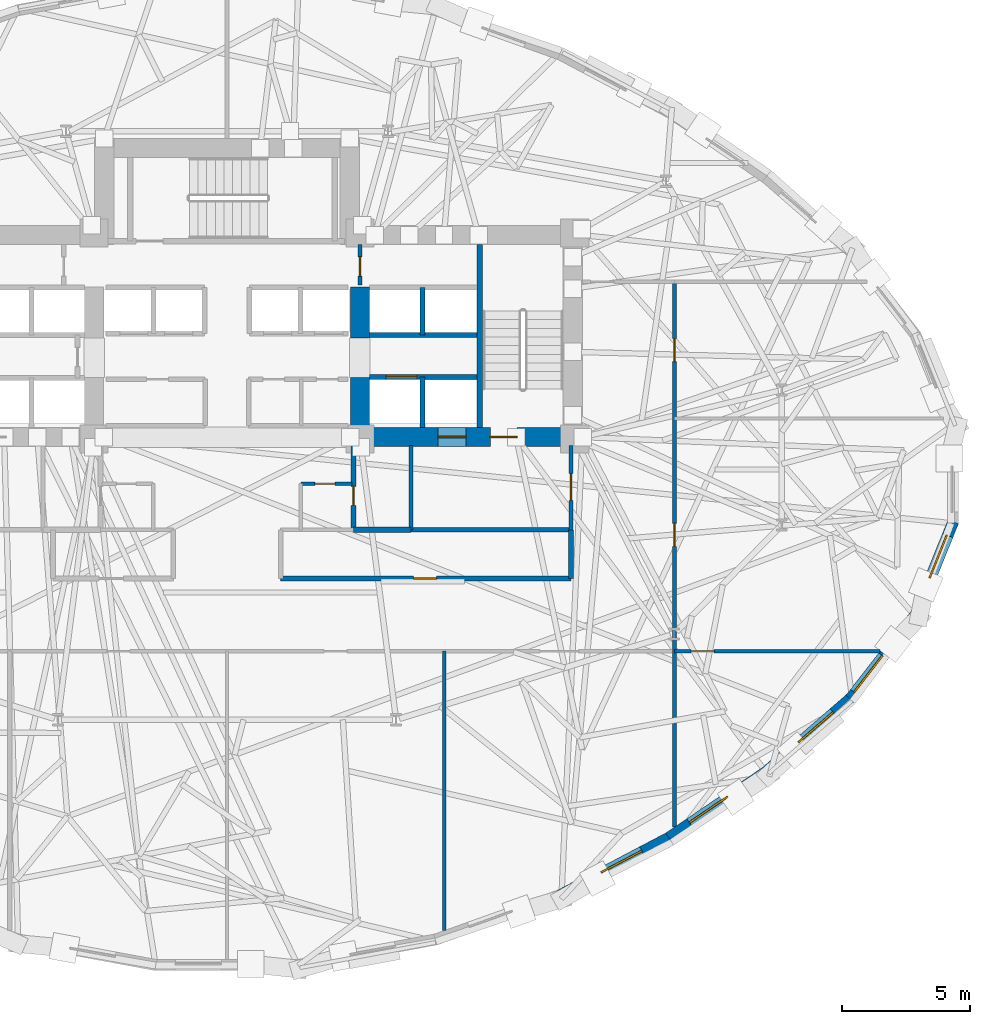
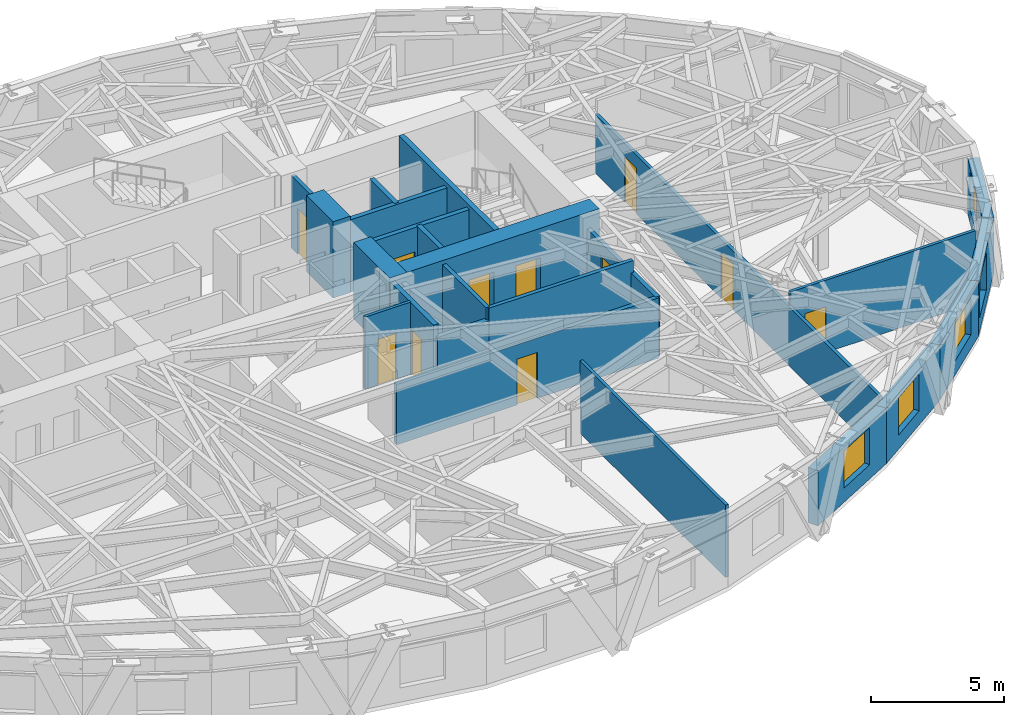
# One storey, part 9 of 15: 25 walls, 11 doors, 5 windows, 16 openings.
"""IFC4 building model written with IfcOpenShell, lengths in metres."""

from ifc_helpers import new_model, si_unit, direction, frame, frame_2d, origin, place, context, subcontext, project, spatial, rectangle, extrude, material, layer, layer_set, type_object, element, fill, save


model = new_model("IFC4")

# Units and contexts
model_context = context("Model", 3, precision=1e-05, world=origin(), true_north=direction((0.0, 1.0)))
body_context = subcontext(model_context, "Body", "Model", "MODEL_VIEW")
ifc_project = project(units=[si_unit("LENGTHUNIT", "METRE"), si_unit("AREAUNIT", "SQUARE_METRE"), si_unit("VOLUMEUNIT", "CUBIC_METRE"), si_unit("PLANEANGLEUNIT", "RADIAN"), si_unit("MASSUNIT", "GRAM", prefix="KILO")], contexts=[model_context])

# Site, building, storey
site_placement = place(None, origin())
site = spatial("IfcSite", under=ifc_project, at=site_placement, CompositionType="ELEMENT")
building_placement = place(site_placement, origin())
building = spatial("IfcBuilding", under=site, at=building_placement, Name="Keldmark Tower", CompositionType="ELEMENT")
storey_placement = place(building_placement, frame((0.0, 0.0, 93.10009765625)))
storey = spatial("IfcBuildingStorey", under=building, at=storey_placement, Name="L24", CompositionType="ELEMENT", Elevation=93.10009765625)

# Wall, openings, doors
ifc_material_1 = material(Name="Acoustic Double-Layer Gypsum Corridor Partition", Category="gypsum")
ifc_layer_1 = layer(ifc_material_1, 0.139892578125)
ifc_layer_set_1 = layer_set([ifc_layer_1], Name="Acoustic Double-Layer Gypsum Corridor Partition")
wall_type_1 = type_object("IfcWallType", Name="Acoustic Corridor Partition 140 mm", PredefinedType="PARTITIONING", material=ifc_layer_set_1)
wall_1_placement = place(storey_placement, frame((17.5, -13.76953125, 0.0), z_axis=(0.0, 0.0, 1.0), x_axis=(0.0, 1.0, 0.0)))
wall_1 = element("IfcWall", 1, at=wall_1_placement, inside=storey, type_object=wall_type_1, Name="L24 Acoustic Corridor Partition 140 mm COR-E", PredefinedType="PARTITIONING", context=body_context, shape_type="SweptSolid", body=[
    extrude(rectangle(XDim=21.319580078125, YDim=0.139892578125, at=frame_2d((10.65966796875, 0.0))), origin(), (0.0, 0.0, 1.0), 2.68798828125),
])
opening_1_placement = place(wall_1_placement, frame((10.969482421875, 0.0, 0.0)))
opening_1 = element("IfcOpeningElement", 2, at=opening_1_placement, cuts=wall_1, Name="Opening D-IN090", PredefinedType="OPENING", context=body_context, shape_type="SweptSolid", body=[
    extrude(rectangle(XDim=0.89990234375, YDim=2.10009765625, at=frame_2d((0.449951171875, 1.050048828125))), frame((0.0, 0.079833984375, 0.0), z_axis=(0.0, -1.0, 0.0), x_axis=(1.0, 0.0, 0.0)), (0.0, 0.0, 1.0), 0.159912109375),
])
opening_2_placement = place(wall_1_placement, frame((18.194580078125, 0.0, 0.0)))
opening_2 = element("IfcOpeningElement", 3, at=opening_2_placement, cuts=wall_1, Name="Opening D-IN090", PredefinedType="OPENING", context=body_context, shape_type="SweptSolid", body=[
    extrude(rectangle(XDim=0.89990234375, YDim=2.10009765625, at=frame_2d((0.449951171875, 1.050048828125))), frame((0.0, 0.079833984375, 0.0), z_axis=(0.0, -1.0, 0.0), x_axis=(1.0, 0.0, 0.0)), (0.0, 0.0, 1.0), 0.159912109375),
])
ifc_material_2 = material(Name="Stained American White Oak Veneer", Category="wood")
door_type_1 = type_object("IfcDoorType", Name="Interior Door 900x2100", OperationType="NOTDEFINED", PredefinedType="DOOR", material=ifc_material_2)
door_1_placement = place(opening_1_placement, origin())
door_1 = element("IfcDoor", 4, at=door_1_placement, inside=storey, type_object=door_type_1, Name="L24 Interior Door 900x2100 D-ER-1-L24", OperationType="SINGLE_SWING_RIGHT", OverallHeight=2.10009765625, OverallWidth=0.89990234375, PredefinedType="DOOR", context=body_context, shape_type="SweptSolid", body=[
    extrude(rectangle(XDim=0.89990234375, YDim=2.10009765625, at=frame_2d((0.449951171875, 1.050048828125))), frame((0.0, 0.02490234375, 0.0), z_axis=(0.0, -1.0, 0.0), x_axis=(1.0, 0.0, 0.0)), (0.0, 0.0, 1.0), 0.050048828125),
])
fill(opening_1, door_1)
door_2_placement = place(opening_2_placement, origin())
door_2 = element("IfcDoor", 5, at=door_2_placement, inside=storey, type_object=door_type_1, Name="L24 Interior Door 900x2100 D-ER-2-L24", OperationType="SINGLE_SWING_LEFT", OverallHeight=2.10009765625, OverallWidth=0.89990234375, PredefinedType="DOOR", context=body_context, shape_type="SweptSolid", body=[
    extrude(rectangle(XDim=0.89990234375, YDim=2.10009765625, at=frame_2d((0.449951171875, 1.050048828125))), frame((0.0, 0.02490234375, 0.0), z_axis=(0.0, -1.0, 0.0), x_axis=(1.0, 0.0, 0.0)), (0.0, 0.0, 1.0), 0.050048828125),
])
fill(opening_2, door_2)

# Wall, opening, door
ifc_material_3 = material(Name="Heavy Acoustic Plumbing Chase Gypsum Assembly", Category="gypsum")
ifc_layer_2 = layer(ifc_material_3, 0.18994140625)
ifc_layer_set_2 = layer_set([ifc_layer_2], Name="Heavy Acoustic Plumbing Chase Gypsum Assembly")
wall_type_2 = type_object("IfcWallType", Name="Heavy Wet Wall 190 mm", PredefinedType="PLUMBINGWALL", material=ifc_layer_set_2)
wall_2_placement = place(storey_placement, frame((2.10009765625, -4.050048828125, 0.0), z_axis=(0.0, 0.0, 1.0), x_axis=(1.0, 0.0, 0.0)))
wall_2 = element("IfcWall", 6, at=wall_2_placement, inside=storey, type_object=wall_type_2, Name="L24 Heavy Wet Wall 190 mm SPK-E-S", PredefinedType="PLUMBINGWALL", context=body_context, shape_type="SweptSolid", body=[
    extrude(rectangle(XDim=11.349853515625, YDim=0.18994140625, at=frame_2d((5.6748046875, 0.0))), origin(), (0.0, 0.0, 1.0), 2.762939453125),
])
opening_3_placement = place(wall_2_placement, frame((5.199951171875, 0.0, 0.0)))
opening_3 = element("IfcOpeningElement", 7, at=opening_3_placement, cuts=wall_2, Name="Opening D-IN090", PredefinedType="OPENING", context=body_context, shape_type="SweptSolid", body=[
    extrude(rectangle(XDim=0.89990234375, YDim=2.10009765625, at=frame_2d((0.449951171875, 1.050048828125))), frame((0.0, 0.10498046875, 0.0), z_axis=(0.0, -1.0, 0.0), x_axis=(1.0, 0.0, 0.0)), (0.0, 0.0, 1.0), 0.2099609375),
])
door_3_placement = place(opening_3_placement, origin())
door_3 = element("IfcDoor", 8, at=door_3_placement, inside=storey, type_object=door_type_1, Name="L24 Interior Door 900x2100 D-SPKE1-L24", OperationType="SINGLE_SWING_RIGHT", OverallHeight=2.10009765625, OverallWidth=0.89990234375, PredefinedType="DOOR", context=body_context, shape_type="SweptSolid", body=[
    extrude(rectangle(XDim=0.89990234375, YDim=2.10009765625, at=frame_2d((0.449951171875, 1.050048828125))), frame((0.0, 0.02490234375, 0.0), z_axis=(0.0, -1.0, 0.0), x_axis=(1.0, 0.0, 0.0)), (0.0, 0.0, 1.0), 0.050048828125),
])
fill(opening_3, door_3)

# Wall
wall_3_placement = place(storey_placement, frame((13.449951171875, -4.050048828125, 0.0), z_axis=(0.0, 0.0, 1.0), x_axis=(0.0, 1.0, 0.0)))
element("IfcWall", 9, at=wall_3_placement, inside=storey, type_object=wall_type_2, Name="L24 Heavy Wet Wall 190 mm SPK-E-E", PredefinedType="PLUMBINGWALL", context=body_context, shape_type="SweptSolid", body=[
    extrude(rectangle(XDim=1.900146484375, YDim=0.18994140625, at=frame_2d((0.9501953125, 0.0))), origin(), (0.0, 0.0, 1.0), 2.762939453125),
])

# Wall, opening, door
ifc_material_4 = material(Name="Acoustic Gypsum Board Interior Partition", Category="gypsum")
ifc_layer_3 = layer(ifc_material_4, 0.1298828125)
ifc_layer_set_3 = layer_set([ifc_layer_3], Name="Acoustic Gypsum Board Interior Partition")
wall_type_3 = type_object("IfcWallType", Name="Interior Partition 130 mm", PredefinedType="PARTITIONING", material=ifc_layer_set_3)
wall_4_placement = place(storey_placement, frame((2.889892578125, -0.35009765625, 0.0), z_axis=(0.0, 0.0, 1.0), x_axis=(1.0, 0.0, 0.0)))
wall_4 = element("IfcWall", 10, at=wall_4_placement, inside=storey, type_object=wall_type_3, Name="L24 Interior Partition 130 mm CSC-E-N", PredefinedType="PARTITIONING", context=body_context, shape_type="SweptSolid", body=[
    extrude(rectangle(XDim=1.989990234375, YDim=0.1298828125, at=frame_2d((0.9951171875, 0.0))), origin(), (0.0, 0.0, 1.0), 3.309814453125),
])
opening_4_placement = place(wall_4_placement, frame((0.550048828125, 0.0, 0.0)))
opening_4 = element("IfcOpeningElement", 11, at=opening_4_placement, cuts=wall_4, Name="Opening D-CL078", PredefinedType="OPENING", context=body_context, shape_type="SweptSolid", body=[
    extrude(rectangle(XDim=0.780029296875, YDim=2.10009765625, at=frame_2d((0.39013671875, 1.050048828125))), frame((0.0, 0.074951171875, 0.0), z_axis=(0.0, -1.0, 0.0), x_axis=(1.0, 0.0, 0.0)), (0.0, 0.0, 1.0), 0.14990234375),
])
ifc_material_5 = material(Name="Flush Utility Closet Timber Door", Category="wood")
door_type_2 = type_object("IfcDoorType", Name="Closet Door 780x2100", OperationType="NOTDEFINED", PredefinedType="DOOR", material=ifc_material_5)
door_4_placement = place(opening_4_placement, origin())
door_4 = element("IfcDoor", 12, at=door_4_placement, inside=storey, type_object=door_type_2, Name="L24 Closet Door 780x2100 D-CSCE1-L24", OperationType="SINGLE_SWING_RIGHT", OverallHeight=2.10009765625, OverallWidth=0.780029296875, PredefinedType="DOOR", context=body_context, shape_type="SweptSolid", body=[
    extrude(rectangle(XDim=0.780029296875, YDim=2.10009765625, at=frame_2d((0.39013671875, 1.050048828125))), frame((0.0, 0.02490234375, 0.0), z_axis=(0.0, -1.0, 0.0), x_axis=(1.0, 0.0, 0.0)), (0.0, 0.0, 1.0), 0.050048828125),
])
fill(opening_4, door_4)

# Wall
wall_5_placement = place(storey_placement, frame((8.5, -17.81591796875, 0.0), z_axis=(0.0, 0.0, 1.0), x_axis=(0.0, 1.0, 0.0)))
element("IfcWall", 13, at=wall_5_placement, inside=storey, type_object=wall_type_3, Name="L24 Interior Partition 130 mm S-DIV-3", PredefinedType="PARTITIONING", context=body_context, shape_type="SweptSolid", body=[
    extrude(rectangle(XDim=10.916015625, YDim=0.1298828125, at=frame_2d((5.4580078125, 0.0))), origin(), (0.0, 0.0, 1.0), 3.309814453125),
])

# Wall, opening, door
wall_6_placement = place(storey_placement, frame((17.5, -6.89990234375, 0.0), z_axis=(0.0, 0.0, 1.0), x_axis=(1.0, 0.0, 0.0)))
wall_6 = element("IfcWall", 14, at=wall_6_placement, inside=storey, type_object=wall_type_3, Name="L24 Interior Partition 130 mm E-CAP-S", PredefinedType="PARTITIONING", context=body_context, shape_type="SweptSolid", body=[
    extrude(rectangle(XDim=8.03271484375, YDim=0.1298828125, at=frame_2d((4.016357421875, 0.0))), origin(), (0.0, 0.0, 1.0), 3.309814453125),
])
opening_5_placement = place(wall_6_placement, frame((0.64990234375, 0.0, 0.0)))
opening_5 = element("IfcOpeningElement", 15, at=opening_5_placement, cuts=wall_6, Name="Opening D-IN090", PredefinedType="OPENING", context=body_context, shape_type="SweptSolid", body=[
    extrude(rectangle(XDim=0.89990234375, YDim=2.10009765625, at=frame_2d((0.449951171875, 1.050048828125))), frame((0.0, 0.074951171875, 0.0), z_axis=(0.0, -1.0, 0.0), x_axis=(1.0, 0.0, 0.0)), (0.0, 0.0, 1.0), 0.14990234375),
])
door_5_placement = place(opening_5_placement, origin())
door_5 = element("IfcDoor", 16, at=door_5_placement, inside=storey, type_object=door_type_1, Name="L24 Interior Door 900x2100 D-ERSE-L24", OperationType="SINGLE_SWING_RIGHT", OverallHeight=2.10009765625, OverallWidth=0.89990234375, PredefinedType="DOOR", context=body_context, shape_type="SweptSolid", body=[
    extrude(rectangle(XDim=0.89990234375, YDim=2.10009765625, at=frame_2d((0.449951171875, 1.050048828125))), frame((0.0, 0.02490234375, 0.0), z_axis=(0.0, -1.0, 0.0), x_axis=(1.0, 0.0, 0.0)), (0.0, 0.0, 1.0), 0.050048828125),
])
fill(opening_5, door_5)

# Wall, openings, doors
ifc_material_6 = material(Name="Concrete C70/85", Category="concrete")
ifc_layer_4 = layer(ifc_material_6, 0.75)
ifc_layer_set_4 = layer_set([ifc_layer_4], Name="Concrete C70/85")
wall_type_4 = type_object("IfcWallType", Name="Low-Mid Core Shear Wall 750 mm", PredefinedType="SHEAR", material=ifc_layer_set_4)
wall_7_placement = place(storey_placement, frame((13.89990234375, 1.47509765625, 0.0), z_axis=(0.0, 0.0, 1.0), x_axis=(-1.0, 0.0, 0.0)))
wall_7 = element("IfcWall", 17, at=wall_7_placement, inside=storey, type_object=wall_type_4, Name="L24 East Core South Shear Wall", PredefinedType="SHEAR", context=body_context, shape_type="SweptSolid", body=[
    extrude(rectangle(XDim=9.074951171875, YDim=0.75, at=frame_2d((4.53759765625, 0.0))), origin(), (0.0, 0.0, 1.0), 3.5),
])
opening_6_placement = place(wall_7_placement, frame((2.550048828125, 0.0, 0.0)))
opening_6 = element("IfcOpeningElement", 18, at=opening_6_placement, cuts=wall_7, Name="Opening D-ST105", PredefinedType="OPENING", context=body_context, shape_type="SweptSolid", body=[
    extrude(rectangle(XDim=1.050048828125, YDim=2.14990234375, at=frame_2d((0.52490234375, 1.074951171875))), frame((0.0, 0.385009765625, 0.0), z_axis=(0.0, -1.0, 0.0), x_axis=(1.0, 0.0, 0.0)), (0.0, 0.0, 1.0), 0.77001953125),
])
opening_7_placement = place(wall_7_placement, frame((4.550048828125, 0.0, 0.0)))
opening_7 = element("IfcOpeningElement", 19, at=opening_7_placement, cuts=wall_7, Name="Opening LD-110", PredefinedType="OPENING", context=body_context, shape_type="SweptSolid", body=[
    extrude(rectangle(XDim=1.10009765625, YDim=2.199951171875, at=frame_2d((0.550048828125, 1.10009765625))), frame((0.0, 0.385009765625, 0.0), z_axis=(0.0, -1.0, 0.0), x_axis=(1.0, 0.0, 0.0)), (0.0, 0.0, 1.0), 0.77001953125),
])
ifc_material_7 = material(Name="Brushed Bronze Hoistway Sliding Leaf", Category="metal")
door_type_3 = type_object("IfcDoorType", Name="Lift Landing Sliding Door 1100x2200", OperationType="SLIDING_TO_LEFT", PredefinedType="DOOR", material=ifc_material_7)
door_6_placement = place(opening_7_placement, origin())
door_6 = element("IfcDoor", 20, at=door_6_placement, inside=storey, type_object=door_type_3, Name="L24 Lift Landing Sliding Door 1100x2200 LD-EL-FS2-L24", OperationType="SLIDING_TO_LEFT", OverallHeight=2.199951171875, OverallWidth=1.10009765625, PredefinedType="DOOR", context=body_context, shape_type="SweptSolid", body=[
    extrude(rectangle(XDim=1.10009765625, YDim=2.199951171875, at=frame_2d((0.550048828125, 1.10009765625))), frame((0.0, 0.02490234375, 0.0), z_axis=(0.0, -1.0, 0.0), x_axis=(1.0, 0.0, 0.0)), (0.0, 0.0, 1.0), 0.050048828125),
])
fill(opening_7, door_6)
ifc_material_8 = material(Name="Hollow Metal Fire-Rated Door Assembly", Category="metal")
door_type_4 = type_object("IfcDoorType", Name="Stair Fire Door 1050x2150", OperationType="NOTDEFINED", PredefinedType="DOOR", material=ifc_material_8)
door_7_placement = place(opening_6_placement, origin())
door_7 = element("IfcDoor", 21, at=door_7_placement, inside=storey, type_object=door_type_4, Name="L24 Stair Fire Door 1050x2150 D-ST2-L24", OperationType="SINGLE_SWING_LEFT", OverallHeight=2.14990234375, OverallWidth=1.050048828125, PredefinedType="DOOR", context=body_context, shape_type="SweptSolid", body=[
    extrude(rectangle(XDim=1.050048828125, YDim=2.14990234375, at=frame_2d((0.52490234375, 1.074951171875))), frame((0.0, 0.02490234375, 0.0), z_axis=(0.0, -1.0, 0.0), x_axis=(1.0, 0.0, 0.0)), (0.0, 0.0, 1.0), 0.050048828125),
])
fill(opening_6, door_7)

# Walls
wall_8_placement = place(storey_placement, frame((5.199951171875, 1.10009765625, 0.0), z_axis=(0.0, 0.0, 1.0), x_axis=(0.0, 1.0, 0.0)))
element("IfcWall", 22, at=wall_8_placement, inside=storey, type_object=wall_type_4, Name="L24 East Core Inner Shear Pier South", PredefinedType="SHEAR", context=body_context, shape_type="SweptSolid", body=[
    extrude(rectangle(XDim=2.699951171875, YDim=0.75, at=frame_2d((1.35009765625, 0.0))), origin(), (0.0, 0.0, 1.0), 3.5),
])
wall_9_placement = place(storey_placement, frame((5.199951171875, 5.35009765625, 0.0), z_axis=(0.0, 0.0, 1.0), x_axis=(0.0, 1.0, 0.0)))
element("IfcWall", 23, at=wall_9_placement, inside=storey, type_object=wall_type_4, Name="L24 East Core Inner Shear Pier North", PredefinedType="SHEAR", context=body_context, shape_type="SweptSolid", body=[
    extrude(rectangle(XDim=2.0, YDim=0.75, at=frame_2d((1.0, 0.0))), origin(), (0.0, 0.0, 1.0), 3.5),
])
ifc_material_9 = material(Name="Type X Fire-Rated Gypsum Partition Assembly", Category="gypsum")
ifc_layer_5 = layer(ifc_material_9, 0.1650390625)
ifc_layer_set_5 = layer_set([ifc_layer_5], Name="Type X Fire-Rated Gypsum Partition Assembly")
wall_type_5 = type_object("IfcWallType", Name="Rated Partition 165 mm", PredefinedType="PARTITIONING", material=ifc_layer_set_5)
wall_10_placement = place(storey_placement, frame((7.199951171875, -2.14990234375, 0.0), z_axis=(0.0, 0.0, 1.0), x_axis=(1.0, 0.0, 0.0)))
element("IfcWall", 24, at=wall_10_placement, inside=storey, type_object=wall_type_5, Name="L24 Rated Partition 165 mm FSAE-E-S", PredefinedType="PARTITIONING", context=body_context, shape_type="SweptSolid", body=[
    extrude(rectangle(XDim=6.25, YDim=0.1650390625, at=frame_2d((3.125, 0.0))), origin(), (0.0, 0.0, 1.0), 3.309814453125),
])
wall_11_placement = place(storey_placement, frame((7.199951171875, -2.14990234375, 0.0), z_axis=(0.0, 0.0, 1.0), x_axis=(0.0, 1.0, 0.0)))
element("IfcWall", 25, at=wall_11_placement, inside=storey, type_object=wall_type_5, Name="L24 Rated Partition 165 mm FSAE-E-W", PredefinedType="PARTITIONING", context=body_context, shape_type="SweptSolid", body=[
    extrude(rectangle(XDim=3.2998046875, YDim=0.1650390625, at=frame_2d((1.64990234375, 0.0))), origin(), (0.0, 0.0, 1.0), 3.309814453125),
])

# Wall, opening, door
wall_12_placement = place(storey_placement, frame((13.449951171875, -2.14990234375, 0.0), z_axis=(0.0, 0.0, 1.0), x_axis=(0.0, 1.0, 0.0)))
wall_12 = element("IfcWall", 26, at=wall_12_placement, inside=storey, type_object=wall_type_5, Name="L24 Rated Partition 165 mm FSAE-E-E", PredefinedType="PARTITIONING", context=body_context, shape_type="SweptSolid", body=[
    extrude(rectangle(XDim=3.2998046875, YDim=0.1650390625, at=frame_2d((1.64990234375, 0.0))), origin(), (0.0, 0.0, 1.0), 2.762939453125),
])
opening_8_placement = place(wall_12_placement, frame((1.14990234375, 0.0, 0.0)))
opening_8 = element("IfcOpeningElement", 27, at=opening_8_placement, cuts=wall_12, Name="Opening D-FL105", PredefinedType="OPENING", context=body_context, shape_type="SweptSolid", body=[
    extrude(rectangle(XDim=1.050048828125, YDim=2.14990234375, at=frame_2d((0.52490234375, 1.074951171875))), frame((0.0, 0.092529296875, 0.0), z_axis=(0.0, -1.0, 0.0), x_axis=(1.0, 0.0, 0.0)), (0.0, 0.0, 1.0), 0.18505859375),
])
ifc_material_10 = material(Name="Fire-Rated Mineral-Core Door and Vision Lite", Category="metal")
door_type_5 = type_object("IfcDoorType", Name="Fire Lobby Door 1050x2150", OperationType="NOTDEFINED", PredefinedType="DOOR", material=ifc_material_10)
door_8_placement = place(opening_8_placement, origin())
door_8 = element("IfcDoor", 28, at=door_8_placement, inside=storey, type_object=door_type_5, Name="L24 Fire Lobby Door 1050x2150 D-FSAEE-OUT-L24", OperationType="SINGLE_SWING_LEFT", OverallHeight=2.14990234375, OverallWidth=1.050048828125, PredefinedType="DOOR", context=body_context, shape_type="SweptSolid", body=[
    extrude(rectangle(XDim=1.050048828125, YDim=2.14990234375, at=frame_2d((0.52490234375, 1.074951171875))), frame((0.0, 0.02490234375, 0.0), z_axis=(0.0, -1.0, 0.0), x_axis=(1.0, 0.0, 0.0)), (0.0, 0.0, 1.0), 0.050048828125),
])
fill(opening_8, door_8)

wall_13_placement = place(storey_placement, frame((5.199951171875, 7.419921875, 0.0), z_axis=(0.0, 0.0, 1.0), x_axis=(0.0, 1.0, 0.0)))
wall_13 = element("IfcWall", 29, at=wall_13_placement, inside=storey, type_object=wall_type_5, Name="L24 Rated Partition 165 mm CS-NE-W", PredefinedType="PARTITIONING", context=body_context, shape_type="SweptSolid", body=[
    extrude(rectangle(XDim=1.580078125, YDim=0.1650390625, at=frame_2d((0.7900390625, 0.0))), origin(), (0.0, 0.0, 1.0), 3.309814453125),
])
opening_9_placement = place(wall_13_placement, frame((0.35009765625, 0.0, 0.0)))
opening_9 = element("IfcOpeningElement", 30, at=opening_9_placement, cuts=wall_13, Name="Opening D-RS075", PredefinedType="OPENING", context=body_context, shape_type="SweptSolid", body=[
    extrude(rectangle(XDim=0.75, YDim=2.10009765625, at=frame_2d((0.375, 1.050048828125))), frame((0.0, 0.092529296875, 0.0), z_axis=(0.0, -1.0, 0.0), x_axis=(1.0, 0.0, 0.0)), (0.0, 0.0, 1.0), 0.18505859375),
])
ifc_material_11 = material(Name="Galvanized Fire-Rated Access Leaf", Category="metal")
door_type_6 = type_object("IfcDoorType", Name="Riser Access Door 750x2100", OperationType="NOTDEFINED", PredefinedType="DOOR", material=ifc_material_11)
door_9_placement = place(opening_9_placement, origin())
door_9 = element("IfcDoor", 31, at=door_9_placement, inside=storey, type_object=door_type_6, Name="L24 Riser Access Door 750x2100 D-CSNE1-L24", OperationType="SINGLE_SWING_LEFT", OverallHeight=2.10009765625, OverallWidth=0.75, PredefinedType="DOOR", context=body_context, shape_type="SweptSolid", body=[
    extrude(rectangle(XDim=0.75, YDim=2.10009765625, at=frame_2d((0.375, 1.050048828125))), frame((0.0, 0.02490234375, 0.0), z_axis=(0.0, -1.0, 0.0), x_axis=(1.0, 0.0, 0.0)), (0.0, 0.0, 1.0), 0.050048828125),
])
fill(opening_9, door_9)

# Wall
ifc_material_12 = material(Name="Fire-Resistant Type X Gypsum Shaftliner Coreboard", Category="gypsum")
ifc_layer_6 = layer(ifc_material_12, 0.199951171875)
ifc_layer_set_6 = layer_set([ifc_layer_6], Name="Fire-Resistant Type X Gypsum Shaftliner Coreboard")
wall_type_6 = type_object("IfcWallType", Name="Shaft Wall 200 mm", PredefinedType="SOLIDWALL", material=ifc_layer_set_6)
wall_14_placement = place(storey_placement, frame((4.949951171875, -2.14990234375, 0.0), z_axis=(0.0, 0.0, 1.0), x_axis=(1.0, 0.0, 0.0)))
element("IfcWall", 32, at=wall_14_placement, inside=storey, type_object=wall_type_6, Name="L24 Shaft Wall 200 mm RIS-SE-S", PredefinedType="SOLIDWALL", context=body_context, shape_type="SweptSolid", body=[
    extrude(rectangle(XDim=2.25, YDim=0.199951171875, at=frame_2d((1.125, 0.0))), origin(), (0.0, 0.0, 1.0), 2.762939453125),
])

# Wall, opening, door
wall_15_placement = place(storey_placement, frame((4.949951171875, -2.14990234375, 0.0), z_axis=(0.0, 0.0, 1.0), x_axis=(0.0, 1.0, 0.0)))
wall_15 = element("IfcWall", 33, at=wall_15_placement, inside=storey, type_object=wall_type_6, Name="L24 Shaft Wall 200 mm RIS-SE-W", PredefinedType="SOLIDWALL", context=body_context, shape_type="SweptSolid", body=[
    extrude(rectangle(XDim=3.2998046875, YDim=0.199951171875, at=frame_2d((1.64990234375, 0.0))), origin(), (0.0, 0.0, 1.0), 3.309814453125),
])
opening_10_placement = place(wall_15_placement, frame((0.949951171875, 0.0, 0.0)))
opening_10 = element("IfcOpeningElement", 34, at=opening_10_placement, cuts=wall_15, Name="Opening D-RS075", PredefinedType="OPENING", context=body_context, shape_type="SweptSolid", body=[
    extrude(rectangle(XDim=0.75, YDim=2.10009765625, at=frame_2d((0.375, 1.050048828125))), frame((0.0, 0.10986328125, 0.0), z_axis=(0.0, -1.0, 0.0), x_axis=(1.0, 0.0, 0.0)), (0.0, 0.0, 1.0), 0.219970703125),
])
door_10_placement = place(opening_10_placement, origin())
door_10 = element("IfcDoor", 35, at=door_10_placement, inside=storey, type_object=door_type_6, Name="L24 Riser Access Door 750x2100 D-RISSE-L24", OperationType="SINGLE_SWING_LEFT", OverallHeight=2.10009765625, OverallWidth=0.75, PredefinedType="DOOR", context=body_context, shape_type="SweptSolid", body=[
    extrude(rectangle(XDim=0.75, YDim=2.10009765625, at=frame_2d((0.375, 1.050048828125))), frame((0.0, 0.02490234375, 0.0), z_axis=(0.0, -1.0, 0.0), x_axis=(1.0, 0.0, 0.0)), (0.0, 0.0, 1.0), 0.050048828125),
])
fill(opening_10, door_10)

wall_16_placement = place(storey_placement, frame((5.574951171875, 3.820068359375, 0.0), z_axis=(0.0, 0.0, 1.0), x_axis=(1.0, 0.0, 0.0)))
wall_16 = element("IfcWall", 36, at=wall_16_placement, inside=storey, type_object=wall_type_6, Name="L24 Shaft Wall 200 mm HW-E-S", PredefinedType="SOLIDWALL", context=body_context, shape_type="SweptSolid", body=[
    extrude(rectangle(XDim=4.205078125, YDim=0.199951171875, at=frame_2d((2.1025390625, 0.0))), origin(), (0.0, 0.0, 1.0), 3.309814453125),
])
opening_11_placement = place(wall_16_placement, frame((0.64990234375, 0.0, 0.0)))
opening_11 = element("IfcOpeningElement", 37, at=opening_11_placement, cuts=wall_16, Name="Opening LD-120", PredefinedType="OPENING", context=body_context, shape_type="SweptSolid", body=[
    extrude(rectangle(XDim=1.199951171875, YDim=2.199951171875, at=frame_2d((0.60009765625, 1.10009765625))), frame((0.0, 0.10986328125, 0.0), z_axis=(0.0, -1.0, 0.0), x_axis=(1.0, 0.0, 0.0)), (0.0, 0.0, 1.0), 0.219970703125),
])
ifc_material_13 = material(Name="Heavy-Duty Brushed Metal Hoistway Sliding Leaf", Category="metal")
door_type_7 = type_object("IfcDoorType", Name="Service Lift Sliding Door 1200x2200", OperationType="SLIDING_TO_RIGHT", PredefinedType="DOOR", material=ifc_material_13)
door_11_placement = place(opening_11_placement, origin())
door_11 = element("IfcDoor", 38, at=door_11_placement, inside=storey, type_object=door_type_7, Name="L24 Service Lift Sliding Door 1200x2200 LD-EL-SV1-L24", OperationType="SLIDING_TO_RIGHT", OverallHeight=2.199951171875, OverallWidth=1.199951171875, PredefinedType="DOOR", context=body_context, shape_type="SweptSolid", body=[
    extrude(rectangle(XDim=1.199951171875, YDim=2.199951171875, at=frame_2d((0.60009765625, 1.10009765625))), frame((0.0, 0.02490234375, 0.0), z_axis=(0.0, -1.0, 0.0), x_axis=(1.0, 0.0, 0.0)), (0.0, 0.0, 1.0), 0.050048828125),
])
fill(opening_11, door_11)

# Walls
wall_17_placement = place(storey_placement, frame((7.64990234375, 1.85009765625, 0.0), z_axis=(0.0, 0.0, 1.0), x_axis=(0.0, 1.0, 0.0)))
element("IfcWall", 39, at=wall_17_placement, inside=storey, type_object=wall_type_6, Name="L24 Shaft Wall 200 mm HW-E-M", PredefinedType="SOLIDWALL", context=body_context, shape_type="SweptSolid", body=[
    extrude(rectangle(XDim=1.969970703125, YDim=0.199951171875, at=frame_2d((0.98486328125, 0.0))), origin(), (0.0, 0.0, 1.0), 3.309814453125),
])
wall_18_placement = place(storey_placement, frame((5.574951171875, 5.469970703125, 0.0), z_axis=(0.0, 0.0, 1.0), x_axis=(1.0, 0.0, 0.0)))
element("IfcWall", 40, at=wall_18_placement, inside=storey, type_object=wall_type_6, Name="L24 Shaft Wall 200 mm HW-E-N", PredefinedType="SOLIDWALL", context=body_context, shape_type="SweptSolid", body=[
    extrude(rectangle(XDim=4.205078125, YDim=0.199951171875, at=frame_2d((2.1025390625, 0.0))), origin(), (0.0, 0.0, 1.0), 3.309814453125),
])
wall_19_placement = place(storey_placement, frame((7.64990234375, 5.469970703125, 0.0), z_axis=(0.0, 0.0, 1.0), x_axis=(0.0, 1.0, 0.0)))
element("IfcWall", 41, at=wall_19_placement, inside=storey, type_object=wall_type_6, Name="L24 Shaft Wall 200 mm HW-E-NM", PredefinedType="SOLIDWALL", context=body_context, shape_type="SweptSolid", body=[
    extrude(rectangle(XDim=1.860107421875, YDim=0.199951171875, at=frame_2d((0.93017578125, 0.0))), origin(), (0.0, 0.0, 1.0), 3.309814453125),
])
ifc_material_14 = material(Name="Concrete C50/60", Category="concrete")
ifc_layer_7 = layer(ifc_material_14, 0.219970703125)
ifc_layer_set_7 = layer_set([ifc_layer_7], Name="Concrete C50/60")
wall_type_7 = type_object("IfcWallType", Name="Stair Core Shear Wall 220 mm", PredefinedType="SHEAR", material=ifc_layer_set_7)
wall_20_placement = place(storey_placement, frame((9.889892578125, 1.85009765625, 0.0), z_axis=(0.0, 0.0, 1.0), x_axis=(0.0, 1.0, 0.0)))
element("IfcWall", 42, at=wall_20_placement, inside=storey, type_object=wall_type_7, Name="L24 East Stair Core Shear Wall", PredefinedType="SHEAR", context=body_context, shape_type="SweptSolid", body=[
    extrude(rectangle(XDim=7.14990234375, YDim=0.219970703125, at=frame_2d((3.574951171875, 0.0))), origin(), (0.0, 0.0, 1.0), 3.5),
])

# Wall, opening, window
ifc_material_15 = material(Name="Ironspot Manganese Brick and Kasota Buff Limestone Spandrel Assembly", Category="masonry")
ifc_layer_8 = layer(ifc_material_15, 0.43994140625)
ifc_layer_set_8 = layer_set([ifc_layer_8], Name="Ironspot Manganese Brick and Kasota Buff Limestone Spandrel Assembly")
wall_type_8 = type_object("IfcWallType", Name="Tower Brick Pier and Spandrel Wall 440 mm", PredefinedType="STANDARD", material=ifc_layer_set_8)
wall_21_placement = place(storey_placement, frame((17.3017578125, -14.180908203125, 0.0), z_axis=(0.0, 0.0, 1.0), x_axis=(-0.88395333318, -0.467575132743, 0.0)))
wall_21 = element("IfcWall", 43, at=wall_21_placement, inside=storey, type_object=wall_type_8, Name="L24 Exterior Brick and Spandrel Wall 27", PredefinedType="STANDARD", context=body_context, shape_type="SweptSolid", body=[
    extrude(rectangle(XDim=4.844970703125, YDim=0.43994140625, at=frame_2d((2.42236328125, 0.0))), origin(), (0.0, 0.0, 1.0), 2.52783203125),
])
opening_12_placement = place(wall_21_placement, frame((1.197998046875, 0.0, 0.64990234375)))
opening_12 = element("IfcOpeningElement", 44, at=opening_12_placement, cuts=wall_21, Name="Opening W-02", PredefinedType="OPENING", context=body_context, shape_type="SweptSolid", body=[
    extrude(rectangle(XDim=1.800048828125, YDim=1.699951171875, at=frame_2d((0.89990234375, 0.85009765625))), frame((0.0, 0.22998046875, 0.0), z_axis=(0.0, -1.0, 0.0), x_axis=(1.0, 0.0, 0.0)), (0.0, 0.0, 1.0), 0.4599609375),
])
ifc_material_16 = material(Name="Thermally Broken Anodized Aluminum and Triple Low-E Argon Glazing", Category="aluminium")
window_type = type_object("IfcWindowType", Name="Office Deep-Set Triple Window 1800x1700", PartitioningType="TRIPLE_PANEL_VERTICAL", PredefinedType="WINDOW", material=ifc_material_16)
window_1_placement = place(opening_12_placement, origin())
window_1 = element("IfcWindow", 45, at=window_1_placement, inside=storey, type_object=window_type, Name="L24 Deep-Set Window 27", OverallHeight=1.699951171875, OverallWidth=1.800048828125, PartitioningType="SINGLE_PANEL", PredefinedType="WINDOW", context=body_context, shape_type="SweptSolid", body=[
    extrude(rectangle(XDim=1.800048828125, YDim=1.699951171875, at=frame_2d((0.89990234375, 0.85009765625))), frame((0.0, -0.010009765625, 0.0), z_axis=(0.0, -1.0, 0.0), x_axis=(1.0, 0.0, 0.0)), (0.0, 0.0, 1.0), 0.06005859375),
])
fill(opening_12, window_1)

wall_22_placement = place(storey_placement, frame((21.084228515625, -11.615478515625, 0.0), z_axis=(0.0, 0.0, 1.0), x_axis=(-0.827749911298, -0.561097214701, 0.0)))
wall_22 = element("IfcWall", 46, at=wall_22_placement, inside=storey, type_object=wall_type_8, Name="L24 Exterior Brick and Spandrel Wall 28", PredefinedType="STANDARD", context=body_context, shape_type="SweptSolid", body=[
    extrude(rectangle(XDim=4.59423828125, YDim=0.43994140625, at=frame_2d((2.297119140625, 0.0))), origin(), (0.0, 0.0, 1.0), 2.52783203125),
])
opening_13_placement = place(wall_22_placement, frame((1.796142578125, 0.0, 0.64990234375)))
opening_13 = element("IfcOpeningElement", 47, at=opening_13_placement, cuts=wall_22, Name="Opening W-02", PredefinedType="OPENING", context=body_context, shape_type="SweptSolid", body=[
    extrude(rectangle(XDim=1.800048828125, YDim=1.699951171875, at=frame_2d((0.89990234375, 0.85009765625))), frame((0.0, 0.22998046875, 0.0), z_axis=(0.0, -1.0, 0.0), x_axis=(1.0, 0.0, 0.0)), (0.0, 0.0, 1.0), 0.4599609375),
])
window_2_placement = place(opening_13_placement, origin())
window_2 = element("IfcWindow", 48, at=window_2_placement, inside=storey, type_object=window_type, Name="L24 Deep-Set Window 28", OverallHeight=1.699951171875, OverallWidth=1.800048828125, PartitioningType="SINGLE_PANEL", PredefinedType="WINDOW", context=body_context, shape_type="SweptSolid", body=[
    extrude(rectangle(XDim=1.800048828125, YDim=1.699951171875, at=frame_2d((0.89990234375, 0.85009765625))), frame((0.0, -0.010009765625, 0.0), z_axis=(0.0, -1.0, 0.0), x_axis=(1.0, 0.0, 0.0)), (0.0, 0.0, 1.0), 0.06005859375),
])
fill(opening_13, window_2)

wall_23_placement = place(storey_placement, frame((24.405029296875, -8.728515625, 0.0), z_axis=(0.0, 0.0, 1.0), x_axis=(-0.754922454992, -0.655814064312, 0.0)))
wall_23 = element("IfcWall", 49, at=wall_23_placement, inside=storey, type_object=wall_type_8, Name="L24 Exterior Brick and Spandrel Wall 29", PredefinedType="STANDARD", context=body_context, shape_type="SweptSolid", body=[
    extrude(rectangle(XDim=4.4267578125, YDim=0.43994140625, at=frame_2d((2.21337890625, 0.0))), origin(), (0.0, 0.0, 1.0), 2.52783203125),
])
opening_14_placement = place(wall_23_placement, frame((0.892578125, 0.0, 0.64990234375)))
opening_14 = element("IfcOpeningElement", 50, at=opening_14_placement, cuts=wall_23, Name="Opening W-02", PredefinedType="OPENING", context=body_context, shape_type="SweptSolid", body=[
    extrude(rectangle(XDim=1.800048828125, YDim=1.699951171875, at=frame_2d((0.89990234375, 0.85009765625))), frame((0.0, 0.22998046875, 0.0), z_axis=(0.0, -1.0, 0.0), x_axis=(1.0, 0.0, 0.0)), (0.0, 0.0, 1.0), 0.4599609375),
])
window_3_placement = place(opening_14_placement, origin())
window_3 = element("IfcWindow", 51, at=window_3_placement, inside=storey, type_object=window_type, Name="L24 Deep-Set Window 29", OverallHeight=1.699951171875, OverallWidth=1.800048828125, PartitioningType="SINGLE_PANEL", PredefinedType="WINDOW", context=body_context, shape_type="SweptSolid", body=[
    extrude(rectangle(XDim=1.800048828125, YDim=1.699951171875, at=frame_2d((0.89990234375, 0.85009765625))), frame((0.0, -0.010009765625, 0.0), z_axis=(0.0, -1.0, 0.0), x_axis=(1.0, 0.0, 0.0)), (0.0, 0.0, 1.0), 0.06005859375),
])
fill(opening_14, window_3)

wall_24_placement = place(storey_placement, frame((26.9541015625, -5.443115234375, 0.0), z_axis=(0.0, 0.0, 1.0), x_axis=(-0.61375552181, -0.789496142769, 0.0)))
wall_24 = element("IfcWall", 52, at=wall_24_placement, inside=storey, type_object=wall_type_8, Name="L24 Exterior Brick and Spandrel Wall 30", PredefinedType="STANDARD", context=body_context, shape_type="SweptSolid", body=[
    extrude(rectangle(XDim=4.200927734375, YDim=0.43994140625, at=frame_2d((2.1005859375, 0.0))), origin(), (0.0, 0.0, 1.0), 2.52783203125),
])
opening_15_placement = place(wall_24_placement, frame((2.103271484375, 0.0, 0.64990234375)))
opening_15 = element("IfcOpeningElement", 53, at=opening_15_placement, cuts=wall_24, Name="Opening W-02", PredefinedType="OPENING", context=body_context, shape_type="SweptSolid", body=[
    extrude(rectangle(XDim=1.800048828125, YDim=1.699951171875, at=frame_2d((0.89990234375, 0.85009765625))), frame((0.0, 0.22998046875, 0.0), z_axis=(0.0, -1.0, 0.0), x_axis=(1.0, 0.0, 0.0)), (0.0, 0.0, 1.0), 0.4599609375),
])
window_4_placement = place(opening_15_placement, origin())
window_4 = element("IfcWindow", 54, at=window_4_placement, inside=storey, type_object=window_type, Name="L24 Deep-Set Window 30", OverallHeight=1.699951171875, OverallWidth=1.800048828125, PartitioningType="SINGLE_PANEL", PredefinedType="WINDOW", context=body_context, shape_type="SweptSolid", body=[
    extrude(rectangle(XDim=1.800048828125, YDim=1.699951171875, at=frame_2d((0.89990234375, 0.85009765625))), frame((0.0, -0.010009765625, 0.0), z_axis=(0.0, -1.0, 0.0), x_axis=(1.0, 0.0, 0.0)), (0.0, 0.0, 1.0), 0.06005859375),
])
fill(opening_15, window_4)

wall_25_placement = place(storey_placement, frame((28.406982421875, -1.82763671875, 0.0), z_axis=(0.0, 0.0, 1.0), x_axis=(-0.374920072969, -0.927057138954, 0.0)))
wall_25 = element("IfcWall", 55, at=wall_25_placement, inside=storey, type_object=wall_type_8, Name="L24 Exterior Brick and Spandrel Wall 31", PredefinedType="STANDARD", context=body_context, shape_type="SweptSolid", body=[
    extrude(rectangle(XDim=3.95654296875, YDim=0.43994140625, at=frame_2d((1.978271484375, 0.0))), origin(), (0.0, 0.0, 1.0), 2.52783203125),
])
opening_16_placement = place(wall_25_placement, frame((0.59033203125, 0.0, 0.64990234375)))
opening_16 = element("IfcOpeningElement", 56, at=opening_16_placement, cuts=wall_25, Name="Opening W-02", PredefinedType="OPENING", context=body_context, shape_type="SweptSolid", body=[
    extrude(rectangle(XDim=1.800048828125, YDim=1.699951171875, at=frame_2d((0.89990234375, 0.85009765625))), frame((0.0, 0.22998046875, 0.0), z_axis=(0.0, -1.0, 0.0), x_axis=(1.0, 0.0, 0.0)), (0.0, 0.0, 1.0), 0.4599609375),
])
window_5_placement = place(opening_16_placement, origin())
window_5 = element("IfcWindow", 57, at=window_5_placement, inside=storey, type_object=window_type, Name="L24 Deep-Set Window 31", OverallHeight=1.699951171875, OverallWidth=1.800048828125, PartitioningType="SINGLE_PANEL", PredefinedType="WINDOW", context=body_context, shape_type="SweptSolid", body=[
    extrude(rectangle(XDim=1.800048828125, YDim=1.699951171875, at=frame_2d((0.89990234375, 0.85009765625))), frame((0.0, -0.010009765625, 0.0), z_axis=(0.0, -1.0, 0.0), x_axis=(1.0, 0.0, 0.0)), (0.0, 0.0, 1.0), 0.06005859375),
])
fill(opening_16, window_5)

save(model, "model.ifc")
